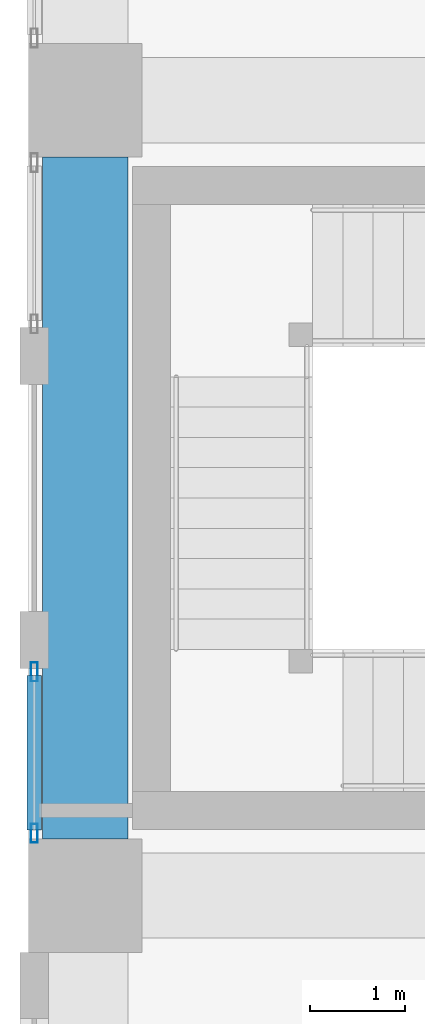
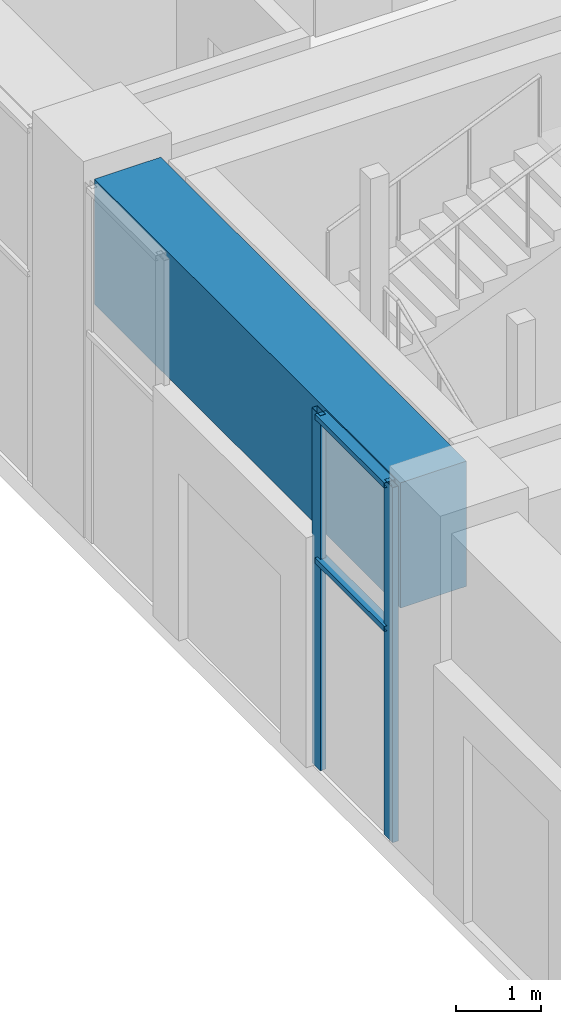
# One storey, part 11 of 81: 4 members, 1 beam, 1 element without a shape of its own.
"""IFC4 building model written with IfcOpenShell, lengths in metres."""

from ifc_helpers import new_model, si_unit, direction, frame, origin, origin_2d, place, context, subcontext, project, spatial, rectangle, hollow_rectangle, extrude, material, material_profile, profile_set, type_object, element, aggregate, save


model = new_model("IFC4")

# Units and contexts
model_context = context("Model", 3, precision=1e-05, world=origin(), true_north=direction((0.0, 1.0)))
body_context = subcontext(model_context, "Body", "Model", "MODEL_VIEW")
ifc_project = project(units=[si_unit("LENGTHUNIT", "METRE"), si_unit("AREAUNIT", "SQUARE_METRE"), si_unit("VOLUMEUNIT", "CUBIC_METRE"), si_unit("PLANEANGLEUNIT", "RADIAN"), si_unit("MASSUNIT", "GRAM", prefix="KILO")], contexts=[model_context])

# Site, building, storey
site_placement = place(None, origin())
site = spatial("IfcSite", under=ifc_project, at=site_placement, CompositionType="ELEMENT")
building_placement = place(site_placement, origin())
building = spatial("IfcBuilding", under=site, at=building_placement, Name="Rekha Terrace Tower", CompositionType="ELEMENT")
storey_placement = place(building_placement, origin())
storey = spatial("IfcBuildingStorey", under=building, at=storey_placement, Name="L00", CompositionType="ELEMENT", Elevation=0.0)

# Curtain wall, members
ifc_material_1 = material(Name="Aluminium framing", Category="aluminium")
curtain_wall_type = type_object("IfcCurtainWallType", Name="CW4 podium shopfront glazing", PredefinedType="USERDEFINED", material=ifc_material_1)
curtain_wall_placement = place(storey_placement, origin())
curtain_wall = element("IfcCurtainWall", 1, at=curtain_wall_placement, inside=storey, type_object=curtain_wall_type, Name="CW4 shopfront curtain wall", ObjectType="SHOPFRONT CURTAIN WALL", PredefinedType="USERDEFINED")
ifc_material_2 = material(Name="Aluminium mullion section", Category="aluminium")
ifc_material_profile_1 = material_profile(ifc_material_2, hollow_rectangle(XDim=0.074951171875, YDim=0.199951171875, WallThickness=0.00390625, at=origin_2d()), Name="AL RHS 75x200")
ifc_profile_set_1 = profile_set([ifc_material_profile_1], Name="Aluminium mullion section")
member_type_1 = type_object("IfcMemberType", Name="CW4 mullion RHS 75 x 200", PredefinedType="MULLION", material=ifc_profile_set_1)
member_1_placement = place(storey_placement, frame((-0.5400390625, 27.5625, 0.0), z_axis=(0.0, 0.0, 1.0), x_axis=(1.0, 0.0, 0.0)))
member_1 = element("IfcMember", 2, at=member_1_placement, type_object=member_type_1, Name="CW4 mullion 1", PredefinedType="MULLION", context=body_context, shape_type="SweptSolid", body=[
    extrude(hollow_rectangle(XDim=0.074951171875, YDim=0.199951171875, WallThickness=0.00390625, at=origin_2d()), origin(), (0.0, 0.0, 1.0), 5.10009765625),
])
member_2_placement = place(storey_placement, frame((-0.5400390625, 25.857421875, 0.0), z_axis=(0.0, 0.0, 1.0), x_axis=(1.0, 0.0, 0.0)))
member_2 = element("IfcMember", 3, at=member_2_placement, type_object=member_type_1, Name="CW4 mullion 2", PredefinedType="MULLION", context=body_context, shape_type="SweptSolid", body=[
    extrude(hollow_rectangle(XDim=0.074951171875, YDim=0.199951171875, WallThickness=0.00390625, at=origin_2d()), origin(), (0.0, 0.0, 1.0), 5.10009765625),
])
ifc_material_3 = material(Name="Aluminium transom section", Category="aluminium")
ifc_material_profile_2 = material_profile(ifc_material_3, hollow_rectangle(XDim=0.14990234375, YDim=0.074951171875, WallThickness=0.0029296875, at=origin_2d()), Name="AL RHS 150x75")
ifc_profile_set_2 = profile_set([ifc_material_profile_2], Name="Aluminium transom section")
member_type_2 = type_object("IfcMemberType", Name="CW4 transom RHS 75 x 150", PredefinedType="USERDEFINED", material=ifc_profile_set_2)
member_3_placement = place(storey_placement, frame((-0.5400390625, 27.52490234375, 3.0), z_axis=(0.0, -1.0, 0.0), x_axis=(1.0, 0.0, 0.0)))
member_3 = element("IfcMember", 4, at=member_3_placement, type_object=member_type_2, Name="CW4 transom 1.2", ObjectType="TRANSOM", PredefinedType="USERDEFINED", context=body_context, shape_type="SweptSolid", body=[
    extrude(hollow_rectangle(XDim=0.14990234375, YDim=0.074951171875, WallThickness=0.0029296875, at=origin_2d()), origin(), (0.0, 0.0, 1.0), 1.6298828125),
])
member_4_placement = place(storey_placement, frame((-0.5400390625, 27.52490234375, 5.0625), z_axis=(0.0, -1.0, 0.0), x_axis=(1.0, 0.0, 0.0)))
member_4 = element("IfcMember", 5, at=member_4_placement, type_object=member_type_2, Name="CW4 transom 1.3", ObjectType="TRANSOM", PredefinedType="USERDEFINED", context=body_context, shape_type="SweptSolid", body=[
    extrude(hollow_rectangle(XDim=0.14990234375, YDim=0.074951171875, WallThickness=0.0029296875, at=origin_2d()), origin(), (0.0, 0.0, 1.0), 1.6298828125),
])
aggregate(curtain_wall, [member_1, member_2, member_3, member_4])

# Beam
ifc_material_4 = material(Name="Concrete M60", Category="concrete")
ifc_material_profile_3 = material_profile(ifc_material_4, rectangle(XDim=0.89990234375, YDim=1.800048828125, at=origin_2d()), Name="RC 900x1800")
ifc_profile_set_3 = profile_set([ifc_material_profile_3], Name="Concrete M60")
beam_type = type_object("IfcBeamType", Name="G1 900x1800 podium floor beam", PredefinedType="BEAM", material=ifc_profile_set_3)
beam_placement = place(storey_placement, frame((0.0, 25.800048828125, 4.199951171875), z_axis=(0.0, 1.0, 0.0), x_axis=(-1.0, 0.0, 0.0)))
element("IfcBeam", 6, at=beam_placement, inside=storey, type_object=beam_type, Name="Beam G1 1D-1E under L01", PredefinedType="BEAM", context=body_context, shape_type="SweptSolid", body=[
    extrude(rectangle(XDim=0.89990234375, YDim=1.800048828125, at=origin_2d()), origin(), (0.0, 0.0, 1.0), 7.199951171875),
])

save(model, "model.ifc")
